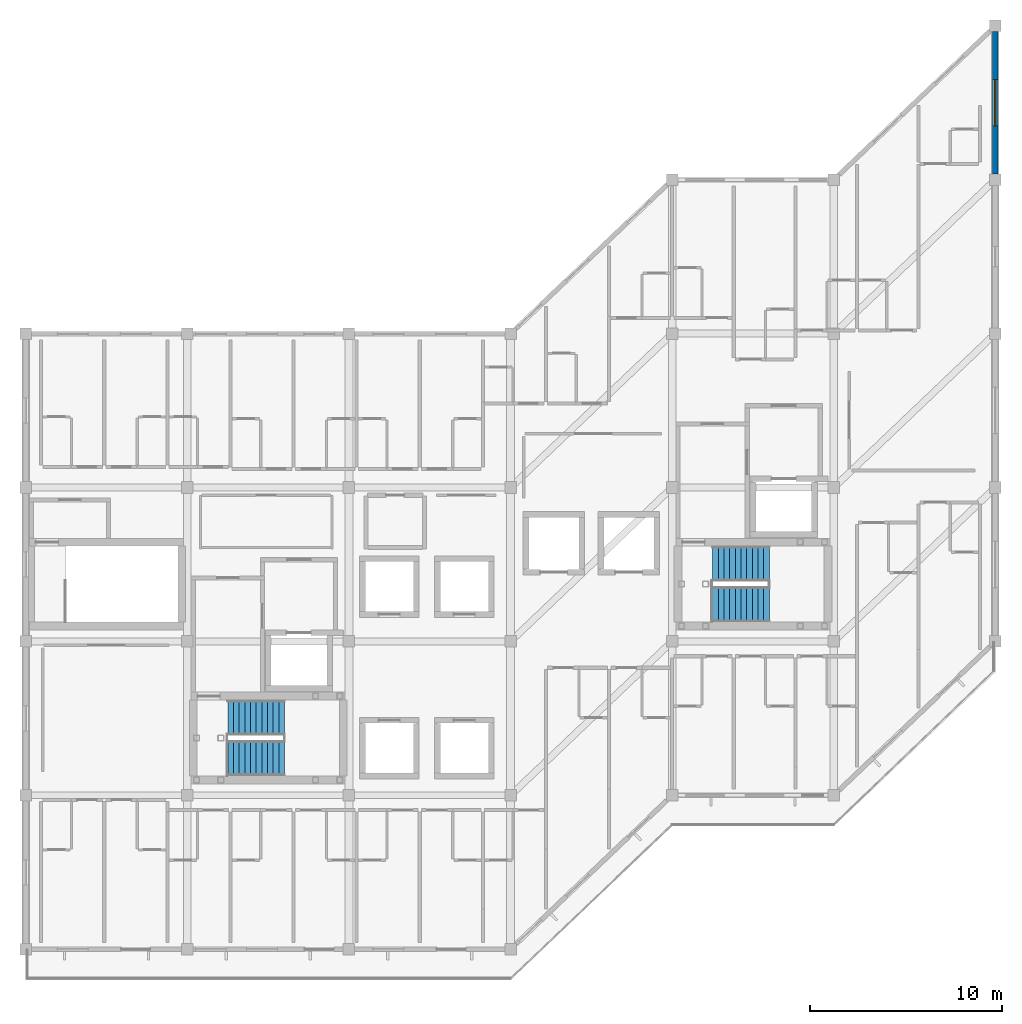
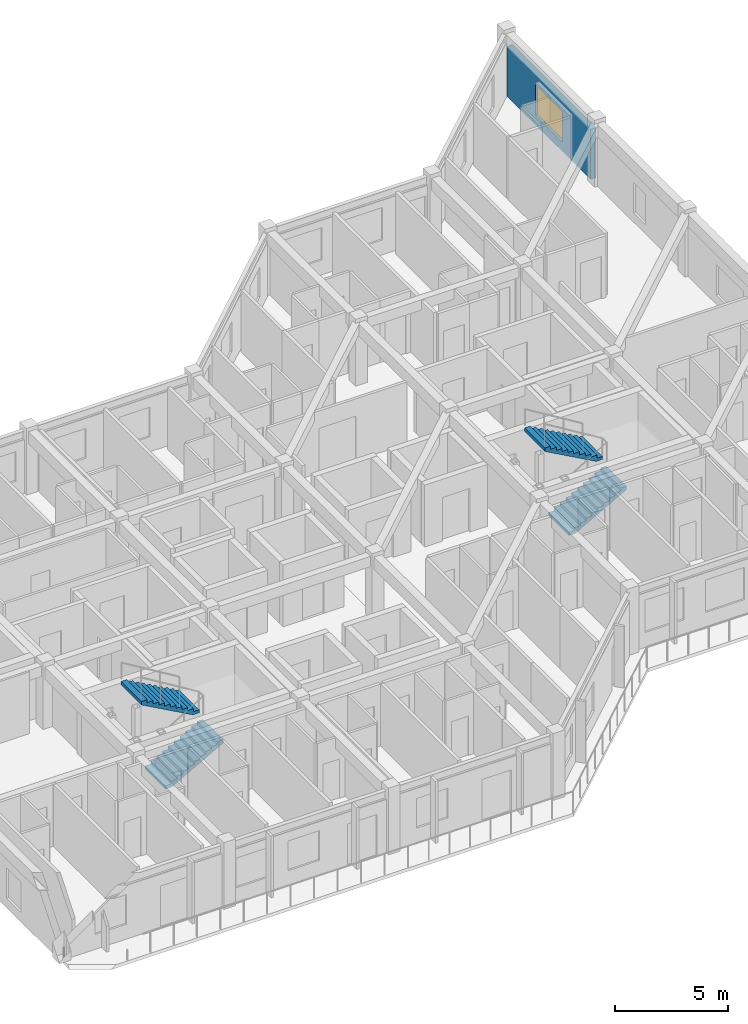
# One storey, part 12 of 14: 4 stair flights, 1 wall, 1 window, 1 opening, 2 elements without a shape of their own.
"""IFC4 building model written with IfcOpenShell, lengths in metres."""

from ifc_helpers import new_model, si_unit, direction, frame, frame_2d, origin, place, context, subcontext, project, spatial, polyline, rectangle, outline, extrude, material, layer, layer_set, type_object, element, fill, aggregate, save


model = new_model("IFC4")

# Units and contexts
model_context = context("Model", 3, precision=1e-05, world=origin(), true_north=direction((0.0, 1.0)))
body_context = subcontext(model_context, "Body", "Model", "MODEL_VIEW")
ifc_project = project(units=[si_unit("LENGTHUNIT", "METRE"), si_unit("AREAUNIT", "SQUARE_METRE"), si_unit("VOLUMEUNIT", "CUBIC_METRE"), si_unit("PLANEANGLEUNIT", "RADIAN"), si_unit("MASSUNIT", "GRAM", prefix="KILO")], contexts=[model_context])

# Site, building, storey
site_placement = place(None, origin())
site = spatial("IfcSite", under=ifc_project, at=site_placement, CompositionType="ELEMENT")
building_placement = place(site_placement, origin())
building = spatial("IfcBuilding", under=site, at=building_placement, Name="Naruveol Harbour Congress Hotel", CompositionType="ELEMENT")
storey_placement = place(building_placement, frame((0.0, 0.0, 39.60009765625)))
storey = spatial("IfcBuildingStorey", under=building, at=storey_placement, Name="L09", CompositionType="ELEMENT", Elevation=39.60009765625)

# Wall, opening, window
ifc_material_1 = material(Name="Precast concrete C40/50", Category="concrete")
ifc_layer = layer(ifc_material_1, 0.280029296875)
ifc_layer_set = layer_set([ifc_layer], Name="Precast concrete C40/50")
wall_type = type_object("IfcWallType", Name="ARCHITECTURAL PRECAST FACADE WALL 280", PredefinedType="SOLIDWALL", material=ifc_layer_set)
wall_placement = place(storey_placement, frame((168.0, 47.699951171875, 0.0), z_axis=(0.0, 0.0, 1.0), x_axis=(0.0, -1.0, 0.0)))
wall = element("IfcWall", 1, at=wall_placement, inside=storey, type_object=wall_type, Name="Hotel east gable wall L09 EW-280", PredefinedType="SOLIDWALL", context=body_context, shape_type="SweptSolid", body=[
    extrude(rectangle(XDim=7.39990234375, YDim=0.280029296875, at=frame_2d((3.699951171875, 0.0))), origin(), (0.0, 0.0, 1.0), 2.699951171875),
])
opening_placement = place(wall_placement, frame((2.5, 0.0, 0.5)))
opening = element("IfcOpeningElement", 2, at=opening_placement, cuts=wall, Name="Opening W-07", PredefinedType="OPENING", context=body_context, shape_type="SweptSolid", body=[
    extrude(rectangle(XDim=2.39990234375, YDim=1.64990234375, at=frame_2d((1.199951171875, 0.824951171875))), frame((0.0, 0.14990234375, 0.0), z_axis=(0.0, -1.0, 0.0), x_axis=(1.0, 0.0, 0.0)), (0.0, 0.0, 1.0), 0.300048828125),
])
ifc_material_2 = material(Name="Low-E Triple Glazing in Thermal Aluminium", Category="aluminium")
window_type = type_object("IfcWindowType", Name="CORNER SUITE WINDOW 2400X1650", PartitioningType="DOUBLE_PANEL_VERTICAL", PredefinedType="WINDOW", material=ifc_material_2)
window_placement = place(opening_placement, origin())
window = element("IfcWindow", 3, at=window_placement, inside=storey, type_object=window_type, Name="Window W-07 #471", OverallHeight=1.64990234375, OverallWidth=2.39990234375, PartitioningType="DOUBLE_PANEL_VERTICAL", PredefinedType="WINDOW", context=body_context, shape_type="SweptSolid", body=[
    extrude(rectangle(XDim=2.39990234375, YDim=1.64990234375, at=frame_2d((1.199951171875, 0.824951171875))), frame((0.0, 0.030029296875, 0.0), z_axis=(0.0, -1.0, 0.0), x_axis=(1.0, 0.0, 0.0)), (0.0, 0.0, 1.0), 0.06005859375),
])
fill(opening, window)

# Stair, stair flights
ifc_material_3 = material(Name="Concrete C40/50", Category="concrete")
stair_type = type_object("IfcStairType", Name="RC DOG LEG ESCAPE STAIR 1800W H3600", PredefinedType="HALF_TURN_STAIR", material=ifc_material_3)
stair_1_placement = place(storey_placement, origin())
stair_1 = element("IfcStair", 4, at=stair_1_placement, inside=storey, type_object=stair_type, Name="Special Escape Stair ST1 L09 to L10", PredefinedType="HALF_TURN_STAIR")
ifc_material_4 = material(Name="Concrete C40/50", Category="concrete")
stair_flight_type = type_object("IfcStairFlightType", Name="RC STRAIGHT STAIR FLIGHT 1800W R11", PredefinedType="STRAIGHT", material=ifc_material_4)
stair_flight_1_placement = place(storey_placement, frame((128.10009765625, 9.919921875, 0.0), z_axis=(0.0, 0.0, 1.0), x_axis=(1.0, 0.0, 0.0)))
stair_flight_1 = element("IfcStairFlight", 5, at=stair_flight_1_placement, type_object=stair_flight_type, Name="ST1 L09 lower flight", NumberOfRisers=11, NumberOfTreads=10, PredefinedType="STRAIGHT", RiserHeight=0.163636, TreadLength=0.295, context=body_context, shape_type="SweptSolid", body=[
    extrude(outline(polyline([(0.0, 0.0), (0.0, 0.16357421875), (0.294921875, 0.16357421875), (0.294921875, 0.327392578125), (0.590087890625, 0.327392578125), (0.590087890625, 0.490966796875), (0.885009765625, 0.490966796875), (0.885009765625, 0.654541015625), (1.179931640625, 0.654541015625), (1.179931640625, 0.818115234375), (1.47509765625, 0.818115234375), (1.47509765625, 0.98193359375), (1.77001953125, 0.98193359375), (1.77001953125, 1.1455078125), (2.06494140625, 1.1455078125), (2.06494140625, 1.30908203125), (2.360107421875, 1.30908203125), (2.360107421875, 1.47265625), (2.655029296875, 1.47265625), (2.655029296875, 1.636474609375), (2.949951171875, 1.636474609375), (2.949951171875, 1.800048828125), (2.949951171875, 1.45361328125), (0.32958984375, 0.0), (0.0, 0.0)])), frame((0.0, 0.89990234375, 0.0), z_axis=(0.0, -1.0, 0.0), x_axis=(1.0, 0.0, 0.0)), (0.0, 0.0, 1.0), 1.800048828125),
])
stair_flight_2_placement = place(storey_placement, frame((131.050048828125, 12.0400390625, 1.7998046875), z_axis=(0.0, 0.0, 1.0), x_axis=(-1.0, 0.0, 0.0)))
stair_flight_2 = element("IfcStairFlight", 6, at=stair_flight_2_placement, type_object=stair_flight_type, Name="ST1 L09 upper flight", NumberOfRisers=11, NumberOfTreads=10, PredefinedType="STRAIGHT", RiserHeight=0.163636, TreadLength=0.295, context=body_context, shape_type="SweptSolid", body=[
    extrude(outline(polyline([(0.0, 0.0), (0.0, 0.16357421875), (0.294921875, 0.16357421875), (0.294921875, 0.327392578125), (0.590087890625, 0.327392578125), (0.590087890625, 0.490966796875), (0.885009765625, 0.490966796875), (0.885009765625, 0.654541015625), (1.179931640625, 0.654541015625), (1.179931640625, 0.818115234375), (1.47509765625, 0.818115234375), (1.47509765625, 0.98193359375), (1.77001953125, 0.98193359375), (1.77001953125, 1.1455078125), (2.06494140625, 1.1455078125), (2.06494140625, 1.30908203125), (2.360107421875, 1.30908203125), (2.360107421875, 1.47265625), (2.655029296875, 1.47265625), (2.655029296875, 1.636474609375), (2.949951171875, 1.636474609375), (2.949951171875, 1.800048828125), (2.949951171875, 1.45361328125), (0.32958984375, 0.0), (0.0, 0.0)])), frame((0.0, 0.89990234375, 0.0), z_axis=(0.0, -1.0, 0.0), x_axis=(1.0, 0.0, 0.0)), (0.0, 0.0, 1.0), 1.800048828125),
])
aggregate(stair_1, [stair_flight_1, stair_flight_2])

stair_2_placement = place(storey_placement, origin())
stair_2 = element("IfcStair", 7, at=stair_2_placement, inside=storey, type_object=stair_type, Name="Special Escape Stair ST2 L09 to L10", PredefinedType="HALF_TURN_STAIR")
stair_flight_3_placement = place(storey_placement, frame((153.300048828125, 17.919921875, 0.0), z_axis=(0.0, 0.0, 1.0), x_axis=(1.0, 0.0, 0.0)))
stair_flight_3 = element("IfcStairFlight", 8, at=stair_flight_3_placement, type_object=stair_flight_type, Name="ST2 L09 lower flight", NumberOfRisers=11, NumberOfTreads=10, PredefinedType="STRAIGHT", RiserHeight=0.163636, TreadLength=0.295, context=body_context, shape_type="SweptSolid", body=[
    extrude(outline(polyline([(0.0, 0.0), (0.0, 0.16357421875), (0.294921875, 0.16357421875), (0.294921875, 0.327392578125), (0.590087890625, 0.327392578125), (0.590087890625, 0.490966796875), (0.885009765625, 0.490966796875), (0.885009765625, 0.654541015625), (1.179931640625, 0.654541015625), (1.179931640625, 0.818115234375), (1.47509765625, 0.818115234375), (1.47509765625, 0.98193359375), (1.77001953125, 0.98193359375), (1.77001953125, 1.1455078125), (2.06494140625, 1.1455078125), (2.06494140625, 1.30908203125), (2.360107421875, 1.30908203125), (2.360107421875, 1.47265625), (2.655029296875, 1.47265625), (2.655029296875, 1.636474609375), (2.949951171875, 1.636474609375), (2.949951171875, 1.800048828125), (2.949951171875, 1.45361328125), (0.32958984375, 0.0), (0.0, 0.0)])), frame((0.0, 0.89990234375, 0.0), z_axis=(0.0, -1.0, 0.0), x_axis=(1.0, 0.0, 0.0)), (0.0, 0.0, 1.0), 1.800048828125),
])
stair_flight_4_placement = place(storey_placement, frame((156.25, 20.0400390625, 1.7998046875), z_axis=(0.0, 0.0, 1.0), x_axis=(-1.0, 0.0, 0.0)))
stair_flight_4 = element("IfcStairFlight", 9, at=stair_flight_4_placement, type_object=stair_flight_type, Name="ST2 L09 upper flight", NumberOfRisers=11, NumberOfTreads=10, PredefinedType="STRAIGHT", RiserHeight=0.163636, TreadLength=0.295, context=body_context, shape_type="SweptSolid", body=[
    extrude(outline(polyline([(0.0, 0.0), (0.0, 0.16357421875), (0.294921875, 0.16357421875), (0.294921875, 0.327392578125), (0.590087890625, 0.327392578125), (0.590087890625, 0.490966796875), (0.885009765625, 0.490966796875), (0.885009765625, 0.654541015625), (1.179931640625, 0.654541015625), (1.179931640625, 0.818115234375), (1.47509765625, 0.818115234375), (1.47509765625, 0.98193359375), (1.77001953125, 0.98193359375), (1.77001953125, 1.1455078125), (2.06494140625, 1.1455078125), (2.06494140625, 1.30908203125), (2.360107421875, 1.30908203125), (2.360107421875, 1.47265625), (2.655029296875, 1.47265625), (2.655029296875, 1.636474609375), (2.949951171875, 1.636474609375), (2.949951171875, 1.800048828125), (2.949951171875, 1.45361328125), (0.32958984375, 0.0), (0.0, 0.0)])), frame((0.0, 0.89990234375, 0.0), z_axis=(0.0, -1.0, 0.0), x_axis=(1.0, 0.0, 0.0)), (0.0, 0.0, 1.0), 1.800048828125),
])
aggregate(stair_2, [stair_flight_3, stair_flight_4])

save(model, "model.ifc")
